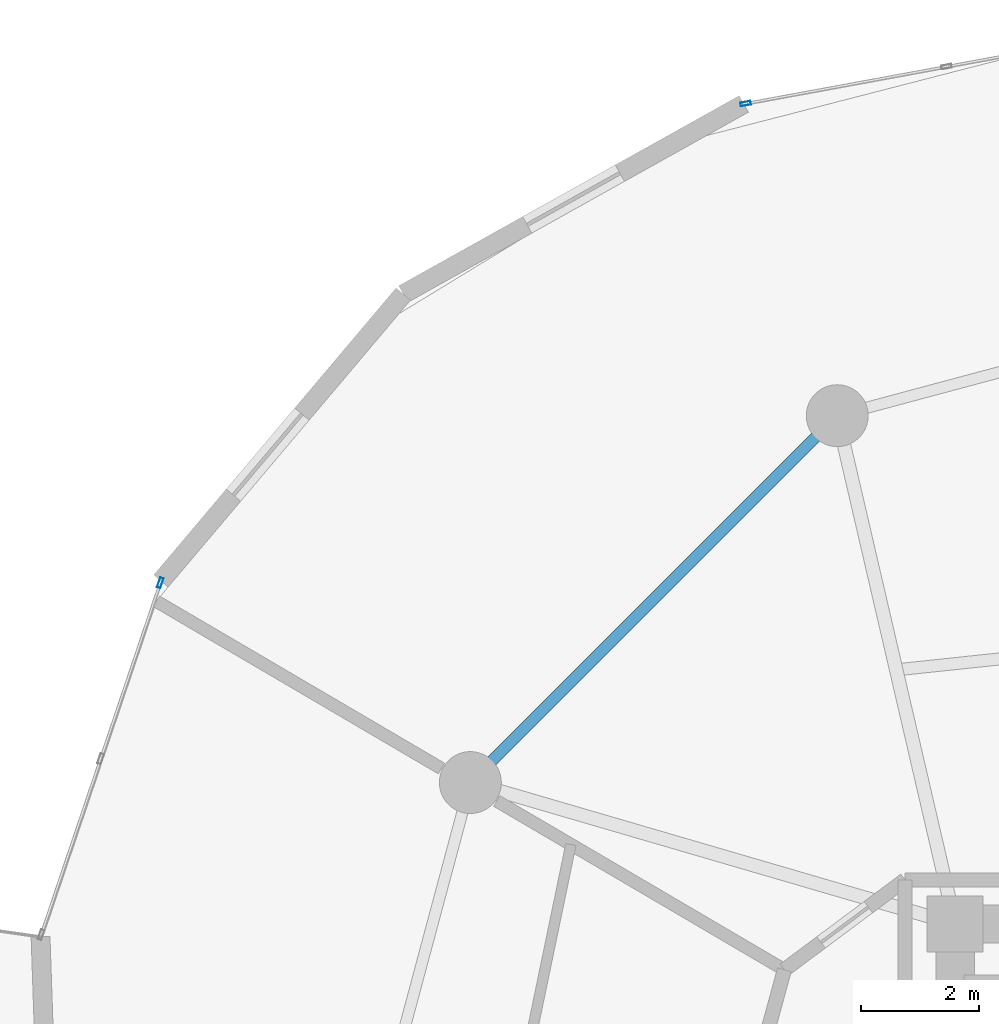
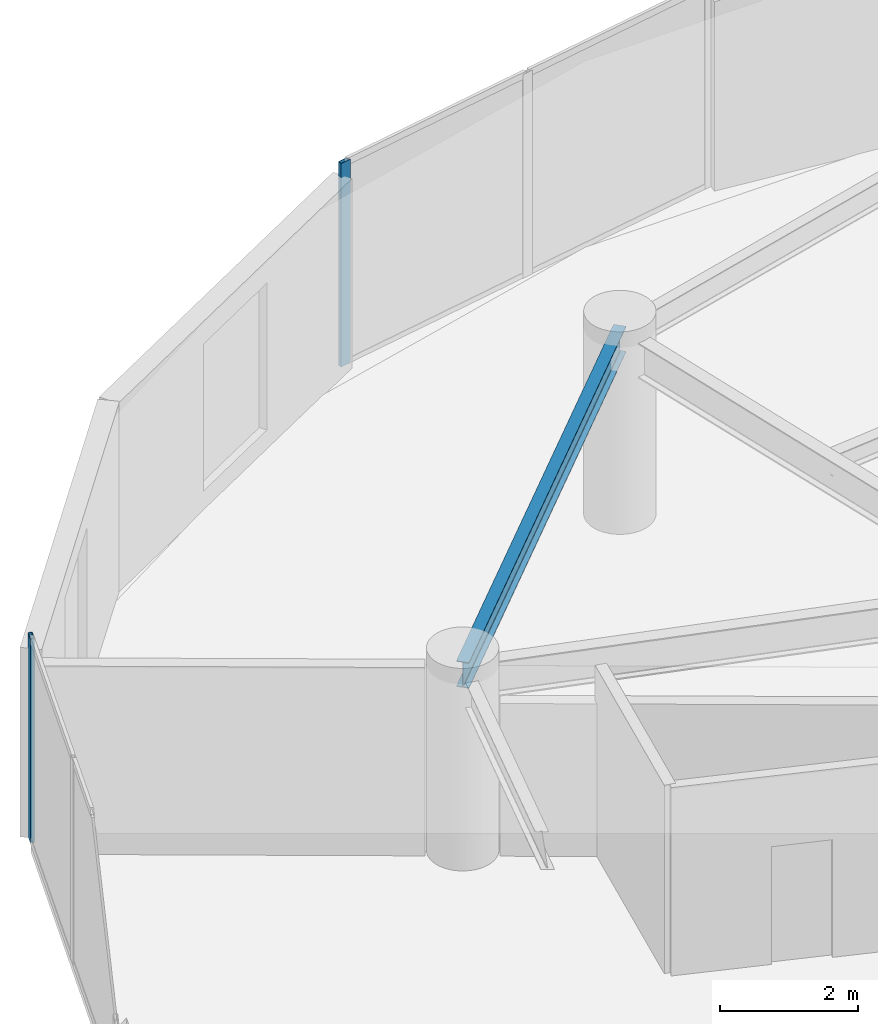
# One storey, part 15 of 25: 2 members, 1 beam, 2 elements without a shape of their own.
"""IFC4 building model written with IfcOpenShell, lengths in metres."""

from ifc_helpers import new_model, si_unit, direction, frame, origin, origin_2d, place, context, subcontext, project, spatial, hollow_rectangle, i_section, extrude, source, transform, mapped, material, layer, layer_set, material_profile, profile_set, type_object, element, aggregate, save


model = new_model("IFC4")

# Units and contexts
model_context = context("Model", 3, precision=1e-05, world=origin(), true_north=direction((0.0, 1.0)))
body_context = subcontext(model_context, "Body", "Model", "MODEL_VIEW")
ifc_project = project(units=[si_unit("LENGTHUNIT", "METRE"), si_unit("AREAUNIT", "SQUARE_METRE"), si_unit("VOLUMEUNIT", "CUBIC_METRE"), si_unit("PLANEANGLEUNIT", "RADIAN"), si_unit("MASSUNIT", "GRAM", prefix="KILO")], contexts=[model_context])

# Site, building, storey
site_placement = place(None, origin())
site = spatial("IfcSite", under=ifc_project, at=site_placement, CompositionType="ELEMENT")
building_placement = place(site_placement, origin())
building = spatial("IfcBuilding", under=site, at=building_placement, Name="Solvirekh Grand Hotel", CompositionType="ELEMENT")
storey_placement = place(building_placement, frame((0.0, 0.0, 106.199951171875)))
storey = spatial("IfcBuildingStorey", under=building, at=storey_placement, Name="L26", CompositionType="ELEMENT", Elevation=106.199951171875)

# Beam
ifc_material_1 = material(Name="Steel S355", Category="steel")
ifc_material_profile_1 = material_profile(ifc_material_1, i_section(OverallWidth=0.18994140625, OverallDepth=0.45703125, WebThickness=0.009033203125, FlangeThickness=0.013916015625, FilletRadius=0.012939453125, at=origin_2d()), Name="W460X74")
ifc_profile_set_1 = profile_set([ifc_material_profile_1], Name="Steel S355")
beam_type = type_object("IfcBeamType", Name="Spandrel_Ring_W460", PredefinedType="SPANDREL", material=ifc_profile_set_1)
beam_placement = place(storey_placement, frame((-8.5, 14.721923828125, 3.1220703125), z_axis=(-0.707106781187, -0.707106781187, 0.0), x_axis=(0.707106781187, -0.707106781187, 0.0)))
element("IfcBeam", 1, at=beam_placement, inside=storey, type_object=beam_type, Name="L26 perimeter spandrel beam 5", PredefinedType="SPANDREL", context=body_context, shape_type="SweptSolid", body=[
    extrude(i_section(OverallWidth=0.18994140625, OverallDepth=0.45703125, WebThickness=0.009033203125, FlangeThickness=0.013916015625, FilletRadius=0.012939453125, at=origin_2d()), origin(), (0.0, 0.0, 1.0), 8.799072265625),
])

# Curtain wall, member
ifc_material_2 = material(Name="Anodized Bronze Aluminium 6063-T6", Category="aluminium")
ifc_layer = layer(ifc_material_2, 0.175048828125)
ifc_layer_set = layer_set([ifc_layer], Name="Anodized Bronze Aluminium 6063-T6")
curtain_wall_type = type_object("IfcCurtainWallType", Name="CW_Sys3_MidZoneFlushBronzeCW", PredefinedType="NOTDEFINED", material=ifc_layer_set)
curtain_wall_1_placement = place(storey_placement, origin())
curtain_wall_1 = element("IfcCurtainWall", 2, at=curtain_wall_1_placement, inside=storey, type_object=curtain_wall_type, Name="L26 unitised bronze-glass curtain wall CW-L26-C08", PredefinedType="NOTDEFINED")
ifc_material_profile_2 = material_profile(ifc_material_2, hollow_rectangle(XDim=0.06494140625, YDim=0.175048828125, WallThickness=0.0048828125, at=origin_2d()), Name="ALU RHS 175X65X5")
ifc_profile_set_2 = profile_set([ifc_material_profile_2], Name="Anodized Bronze Aluminium 6063-T6")
member_type = type_object("IfcMemberType", Name="CWMullion_Sys3", PredefinedType="MULLION", material=ifc_profile_set_2)
shared_shape = source(origin(), body_context, "Body", "SweptSolid", [
    extrude(hollow_rectangle(XDim=0.06494140625, YDim=0.175048828125, WallThickness=0.0048828125, at=origin_2d()), origin(), (0.0, 0.0, 1.0), 3.60009765625),
])
member_1_placement = place(storey_placement, frame((-10.052978515625, 20.013916015625, 0.0), z_axis=(0.0, 0.0, 1.0), x_axis=(0.180987633873, -0.983485371719, 0.0)))
member_1 = element("IfcMember", 3, at=member_1_placement, type_object=member_type, Name="U03 mullion 3", PredefinedType="MULLION", context=body_context, shape_type="MappedRepresentation", body=[
    mapped(shared_shape, transform((0.0, 0.0, 0.0), x_axis=(1.0, 0.0, 0.0), y_axis=(0.0, 1.0, 0.0), z_axis=(0.0, 0.0, 1.0), scale=1.0)),
])
aggregate(curtain_wall_1, [member_1])

curtain_wall_2_placement = place(storey_placement, origin())
curtain_wall_2 = element("IfcCurtainWall", 4, at=curtain_wall_2_placement, inside=storey, type_object=curtain_wall_type, Name="L26 unitised bronze-glass curtain wall CW-L26-C11", PredefinedType="NOTDEFINED")
member_2_placement = place(storey_placement, frame((-19.9794921875, 11.88818359375, 0.0), z_axis=(0.0, 0.0, 1.0), x_axis=(0.947213035477, -0.320604843106, 0.0)))
member_2 = element("IfcMember", 5, at=member_2_placement, type_object=member_type, Name="U03 mullion 1", PredefinedType="MULLION", context=body_context, shape_type="MappedRepresentation", body=[
    mapped(shared_shape, transform((0.0, 0.0, 0.0), x_axis=(1.0, 0.0, 0.0), y_axis=(0.0, 1.0, 0.0), z_axis=(0.0, 0.0, 1.0), scale=1.0)),
])
aggregate(curtain_wall_2, [member_2])

save(model, "model.ifc")
